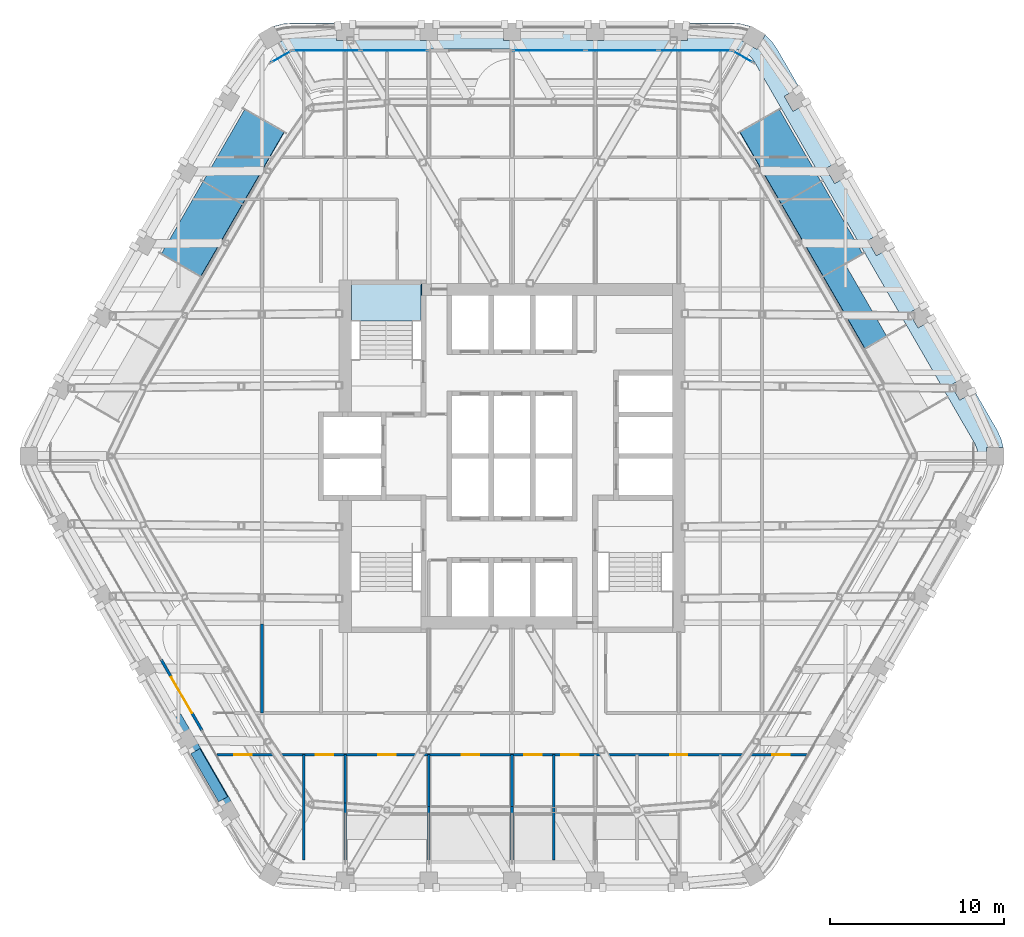
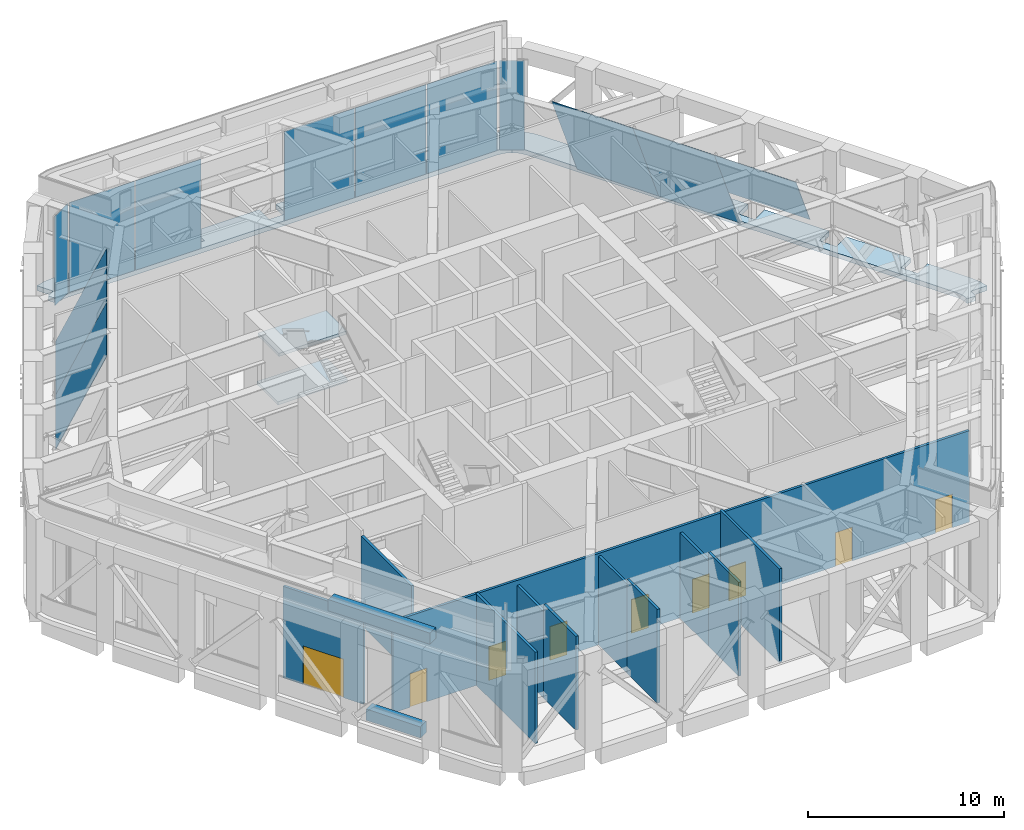
# One storey, part 13 of 24: 13 walls, 12 plates, 9 doors, 4 slabs, 9 openings, 7 elements without a shape of their own.
"""IFC4 building model written with IfcOpenShell, lengths in metres."""

from ifc_helpers import new_model, si_unit, direction, frame, frame_2d, origin, origin_2d, place, context, subcontext, project, spatial, polyline, rectangle, outline, extrude, material, layer, layer_set, type_object, element, fill, aggregate, save


model = new_model("IFC4")

# Units and contexts
model_context = context("Model", 3, precision=1e-05, world=origin(), true_north=direction((0.0, 1.0)))
body_context = subcontext(model_context, "Body", "Model", "MODEL_VIEW")
ifc_project = project(units=[si_unit("LENGTHUNIT", "METRE"), si_unit("AREAUNIT", "SQUARE_METRE"), si_unit("VOLUMEUNIT", "CUBIC_METRE"), si_unit("PLANEANGLEUNIT", "RADIAN"), si_unit("MASSUNIT", "GRAM", prefix="KILO")], contexts=[model_context])

# Site, building, storey
site_placement = place(None, origin())
site = spatial("IfcSite", under=ifc_project, at=site_placement, CompositionType="ELEMENT")
building_placement = place(site_placement, origin())
building = spatial("IfcBuilding", under=site, at=building_placement, Name="Kolab Exchange Tower", CompositionType="ELEMENT")
storey_placement = place(building_placement, frame((0.0, 0.0, 216.800048828125)))
storey = spatial("IfcBuildingStorey", under=building, at=storey_placement, Name="L47", CompositionType="ELEMENT", Elevation=216.800048828125)

# Curtain wall, plates
ifc_material_1 = material(Name="Aluminium EN AW-6063 T6", Category="aluminium")
curtain_wall_type_1 = type_object("IfcCurtainWallType", Name="CANTED BAND CURTAIN WALL", PredefinedType="NOTDEFINED", material=ifc_material_1)
curtain_wall_1_placement = place(storey_placement, origin())
curtain_wall_1 = element("IfcCurtainWall", 1, at=curtain_wall_1_placement, inside=storey, type_object=curtain_wall_type_1, Name="band/L47/F2", PredefinedType="NOTDEFINED")
ifc_layer_1 = layer(ifc_material_1, 0.031982421875)
ifc_layer_set_1 = layer_set([ifc_layer_1], Name="Aluminium EN AW-6063 T6")
plate_type_1 = type_object("IfcPlateType", Name="CANTED BAND LOUVRE PANEL 32", PredefinedType="CURTAIN_PANEL", material=ifc_layer_set_1)
plate_1_placement = place(storey_placement, frame((15.392578125, 19.97216796875, 0.0), z_axis=(0.789543411339, 0.455864290648, 0.410863663669), x_axis=(0.500017431331, -0.866015339567, 0.0)))
plate_1 = element("IfcPlate", 2, at=plate_1_placement, type_object=plate_type_1, Name="Band louvre panel", PredefinedType="CURTAIN_PANEL", context=body_context, shape_type="SweptSolid", body=[
    extrude(outline(polyline([(0.0, 0.0), (4.800125623588972, 1.1102230246251565e-16), (4.800032481351556, -6.36181770787622), (-9.314223741605604e-05, -6.36181770787622), (0.0, 0.0)])), origin(), (0.0, 0.0, -1.0), 0.031982421875),
])
plate_2_placement = place(storey_placement, frame((17.792724609375, 15.815185546875, 0.0), z_axis=(0.789563490305, 0.455829512521, 0.410863663873), x_axis=(0.499979284789, -0.866037363387, 0.0)))
plate_2 = element("IfcPlate", 3, at=plate_2_placement, type_object=plate_type_1, Name="Band louvre panel", PredefinedType="CURTAIN_PANEL", context=body_context, shape_type="SweptSolid", body=[
    extrude(outline(polyline([(0.0, 0.0), (4.800003553677277, 0.0), (4.8000255452913905, -6.361817708520049), (2.1991614113848587e-05, -6.361817708520049), (0.0, 0.0)])), origin(), (0.0, 0.0, -1.0), 0.031982421875),
])
plate_3_placement = place(storey_placement, frame((19.17626953125, 11.071533203125, 2.60400390625), z_axis=(0.789544384574, 0.455864852572, 0.410861169955), x_axis=(0.500017431331, -0.866015339567, 0.0)))
plate_3 = element("IfcPlate", 4, at=plate_3_placement, type_object=plate_type_1, Name="Band louvre panel", PredefinedType="CURTAIN_PANEL", context=body_context, shape_type="SweptSolid", body=[
    extrude(outline(polyline([(0.0, 0.0), (4.800125623588972, 1.1102230246251565e-16), (4.800163757145978, -3.5055963697096044), (3.813355700662064e-05, -3.505596369709605), (0.0, 0.0)])), origin(), (0.0, 0.0, -1.0), 0.031982421875),
])
aggregate(curtain_wall_1, [plate_1, plate_2, plate_3])

curtain_wall_2_placement = place(storey_placement, origin())
curtain_wall_2 = element("IfcCurtainWall", 5, at=curtain_wall_2_placement, inside=storey, type_object=curtain_wall_type_1, Name="band/L47/F6", PredefinedType="NOTDEFINED")
plate_4_placement = place(storey_placement, frame((-20.192626953125, 11.658203125, 0.0), z_axis=(-0.789563490305, 0.455829512521, 0.410863663873), x_axis=(0.499979284789, 0.866037363387, 0.0)))
plate_4 = element("IfcPlate", 6, at=plate_4_placement, type_object=plate_type_1, Name="Band louvre panel", PredefinedType="CURTAIN_PANEL", context=body_context, shape_type="SweptSolid", body=[
    extrude(outline(polyline([(0.0, 0.0), (4.800003553677277, 0.0), (4.799981562063163, -6.361817708520049), (-2.1991614113848587e-05, -6.361817708520049), (0.0, 0.0)])), origin(), (0.0, 0.0, -1.0), 0.031982421875),
])
plate_5_placement = place(storey_placement, frame((-17.792724609375, 15.815185546875, 0.0), z_axis=(-0.789543411339, 0.455864290648, 0.410863663669), x_axis=(0.500017431331, 0.866015339567, 0.0)))
plate_5 = element("IfcPlate", 7, at=plate_5_placement, type_object=plate_type_1, Name="Band louvre panel", PredefinedType="CURTAIN_PANEL", context=body_context, shape_type="SweptSolid", body=[
    extrude(outline(polyline([(0.0, 0.0), (4.800125623588972, -1.1102230246251565e-16), (4.800218765826388, -6.361817707876221), (9.314223741605604e-05, -6.36181770787622), (0.0, 0.0)])), origin(), (0.0, 0.0, -1.0), 0.031982421875),
])
aggregate(curtain_wall_2, [plate_4, plate_5])

# Slabs
ifc_material_2 = material(Name="Concrete C35/45", Category="concrete")
ifc_layer_2 = layer(ifc_material_2, 0.300048828125)
ifc_layer_set_2 = layer_set([ifc_layer_2], Name="Concrete C35/45")
slab_type_1 = type_object("IfcSlabType", Name="LOGGIA SLAB 300", PredefinedType="FLOOR", material=ifc_layer_set_2)
slab_1_placement = place(storey_placement, frame((0.0, 0.0, -0.300048828125)))
element("IfcSlab", 8, at=slab_1_placement, inside=storey, type_object=slab_type_1, Name="slab/L47/loggia/0-0", PredefinedType="FLOOR", context=body_context, shape_type="SweptSolid", body=[
    extrude(outline(polyline([(13.41796875, 23.240478515625), (13.66796875, 23.673583984375), (13.23486328125, 23.923583984375), (13.713134765625, 24.751708984375), (13.694091796875, 24.760498046875), (13.18896484375, 24.89599609375), (12.66796875, 24.941650390625), (10.10009765625, 24.941650390625), (10.10009765625, 23.941650390625), (9.10009765625, 23.941650390625), (9.10009765625, 24.941650390625), (5.300048828125, 24.941650390625), (5.300048828125, 23.941650390625), (4.300048828125, 23.941650390625), (4.300048828125, 24.941650390625), (0.5, 24.941650390625), (0.5, 23.941650390625), (-0.5, 23.941650390625), (-0.5, 24.941650390625), (-4.300048828125, 24.941650390625), (-4.300048828125, 23.941650390625), (-5.300048828125, 23.941650390625), (-5.300048828125, 24.941650390625), (-9.10009765625, 24.941650390625), (-9.10009765625, 23.941650390625), (-10.10009765625, 23.941650390625), (-10.10009765625, 24.941650390625), (-12.66796875, 24.941650390625), (-13.18896484375, 24.89599609375), (-13.694091796875, 24.760498046875), (-13.713134765625, 24.751708984375), (-13.23486328125, 23.923583984375), (-13.66796875, 23.673583984375), (-13.41796875, 23.240478515625), (-13.180908203125, 23.35107421875), (-12.928466796875, 23.418701171875), (-12.66796875, 23.441650390625), (12.66796875, 23.441650390625), (12.928466796875, 23.418701171875), (13.180908203125, 23.35107421875), (13.41796875, 23.240478515625)])), origin(), (0.0, 0.0, 1.0), 0.300048828125),
])
slab_2_placement = place(storey_placement, frame((0.0, 0.0, -0.300048828125)))
element("IfcSlab", 9, at=slab_2_placement, inside=storey, type_object=slab_type_1, Name="slab/L47/loggia/1-0", PredefinedType="FLOOR", context=body_context, shape_type="SweptSolid", body=[
    extrude(outline(polyline([(26.8359375, 0.0), (27.3359375, 0.0), (27.3359375, 0.5), (28.292236328125, 0.5), (28.290283203125, 0.52099609375), (28.155029296875, 1.026123046875), (27.93408203125, 1.5), (26.64990234375, 3.723876953125), (25.783935546875, 3.223876953125), (25.283935546875, 4.08984375), (26.14990234375, 4.58984375), (24.25, 7.880859375), (23.384033203125, 7.380859375), (22.884033203125, 8.246826171875), (23.75, 8.746826171875), (21.85009765625, 12.037841796875), (20.98388671875, 11.537841796875), (20.48388671875, 12.40380859375), (21.35009765625, 12.90380859375), (19.449951171875, 16.194580078125), (18.583984375, 15.694580078125), (18.083984375, 16.560791015625), (18.949951171875, 17.060791015625), (17.050048828125, 20.3515625), (16.18408203125, 19.8515625), (15.68408203125, 20.717529296875), (16.550048828125, 21.217529296875), (15.26611328125, 23.441650390625), (14.966064453125, 23.869873046875), (14.59619140625, 24.23974609375), (14.5791015625, 24.251708984375), (14.10107421875, 23.423583984375), (13.66796875, 23.673583984375), (13.41796875, 23.240478515625), (13.632080078125, 23.090576171875), (13.81689453125, 22.90576171875), (13.967041015625, 22.691650390625), (26.635009765625, 0.75), (26.745361328125, 0.512939453125), (26.81298828125, 0.260498046875), (26.8359375, 0.0)])), origin(), (0.0, 0.0, 1.0), 0.300048828125),
])

# Stair, slabs
ifc_material_3 = material(Name="Concrete C50/60", Category="concrete")
stair_type = type_object("IfcStairType", Name="STAIR ST1 RISER 166.7", PredefinedType="DOUBLE_RETURN_STAIR", material=ifc_material_3)
stair_placement = place(storey_placement, origin())
stair = element("IfcStair", 10, at=stair_placement, inside=storey, type_object=stair_type, Name="Stair 1", PredefinedType="DOUBLE_RETURN_STAIR")
ifc_layer_3 = layer(ifc_material_3, 0.199951171875)
ifc_layer_set_3 = layer_set([ifc_layer_3], Name="Concrete C50/60")
slab_type_2 = type_object("IfcSlabType", Name="STAIR LANDING 200", PredefinedType="LANDING", material=ifc_layer_set_3)
slab_3_placement = place(storey_placement, frame((0.0, 0.0, 1.300048828125)))
slab_3 = element("IfcSlab", 11, at=slab_3_placement, type_object=slab_type_2, Name="ST1 landing 2", PredefinedType="LANDING", context=body_context, shape_type="SweptSolid", body=[
    extrude(outline(polyline([(-9.31005859375, 7.7900390625), (-5.18994140625, 7.7900390625), (-5.18994140625, 9.909912109375), (-9.31005859375, 9.909912109375), (-9.31005859375, 7.7900390625)])), origin(), (0.0, 0.0, 1.0), 0.199951171875),
])
slab_4_placement = place(storey_placement, frame((0.0, 0.0, 4.300048828125)))
slab_4 = element("IfcSlab", 12, at=slab_4_placement, type_object=slab_type_2, Name="ST1 landing 4", PredefinedType="LANDING", context=body_context, shape_type="SweptSolid", body=[
    extrude(outline(polyline([(-9.25, 7.7900390625), (-5.25, 7.7900390625), (-5.25, 9.909912109375), (-9.25, 9.909912109375), (-9.25, 7.7900390625)])), origin(), (0.0, 0.0, 1.0), 0.199951171875),
])
aggregate(stair, [slab_3, slab_4])

# Curtain wall, plates
curtain_wall_type_2 = type_object("IfcCurtainWallType", Name="UNITISED UPPER MID ZONE DOUBLE HEIGHT BELT CURTAIN WALL", PredefinedType="NOTDEFINED", material=ifc_material_1)
curtain_wall_3_placement = place(storey_placement, origin())
curtain_wall_3 = element("IfcCurtainWall", 13, at=curtain_wall_3_placement, inside=storey, type_object=curtain_wall_type_2, Name="cw/L47/F1-1", PredefinedType="NOTDEFINED")
ifc_layer_4 = layer(ifc_material_1, 0.028076171875)
ifc_layer_set_4 = layer_set([ifc_layer_4], Name="Aluminium EN AW-6063 T6")
plate_type_2 = type_object("IfcPlateType", Name="UNITISED UPPER MID ZONE DOUBLE HEIGHT BELT LOUVRE PANEL 28", PredefinedType="CURTAIN_PANEL", material=ifc_layer_set_4)
plate_6_placement = place(storey_placement, frame((-10.68603515625, 23.361572265625, 0.059814453125), z_axis=(0.0, 0.0, 1.0), x_axis=(1.0, 0.0, 0.0)))
plate_6 = element("IfcPlate", 14, at=plate_6_placement, type_object=plate_type_2, Name="CW11 panel 1.1", PredefinedType="CURTAIN_PANEL", context=body_context, shape_type="SweptSolid", body=[
    extrude(rectangle(XDim=3.843994140625, YDim=0.028076171875, at=origin_2d()), origin(), (0.0, 0.0, 1.0), 5.580078125),
])
plate_7_placement = place(storey_placement, frame((-6.781982421875, 23.361572265625, 0.059814453125), z_axis=(0.0, 0.0, 1.0), x_axis=(1.0, 0.0, 0.0)))
plate_7 = element("IfcPlate", 15, at=plate_7_placement, type_object=plate_type_2, Name="CW11 panel 2.1", PredefinedType="CURTAIN_PANEL", context=body_context, shape_type="SweptSolid", body=[
    extrude(rectangle(XDim=3.843994140625, YDim=0.028076171875, at=origin_2d()), origin(), (0.0, 0.0, 1.0), 5.580078125),
])
aggregate(curtain_wall_3, [plate_6, plate_7])

curtain_wall_4_placement = place(storey_placement, origin())
curtain_wall_4 = element("IfcCurtainWall", 16, at=curtain_wall_4_placement, inside=storey, type_object=curtain_wall_type_2, Name="cw/L47/F1-2", PredefinedType="NOTDEFINED")
plate_8_placement = place(storey_placement, frame((2.126220703125, 23.361572265625, 0.059814453125), z_axis=(0.0, 0.0, 1.0), x_axis=(1.0, 0.0, 0.0)))
plate_8 = element("IfcPlate", 17, at=plate_8_placement, type_object=plate_type_2, Name="CW11 panel 1.1", PredefinedType="CURTAIN_PANEL", context=body_context, shape_type="SweptSolid", body=[
    extrude(rectangle(XDim=4.132568359375, YDim=0.028076171875, at=origin_2d()), origin(), (0.0, 0.0, 1.0), 5.580078125),
])
plate_9_placement = place(storey_placement, frame((6.333984375, 23.361572265625, 0.059814453125), z_axis=(0.0, 0.0, 1.0), x_axis=(1.0, 0.0, 0.0)))
plate_9 = element("IfcPlate", 18, at=plate_9_placement, type_object=plate_type_2, Name="CW11 panel 2.1", PredefinedType="CURTAIN_PANEL", context=body_context, shape_type="SweptSolid", body=[
    extrude(rectangle(XDim=4.16259765625, YDim=0.028076171875, at=origin_2d()), origin(), (0.0, 0.0, 1.0), 5.580078125),
])
plate_10_placement = place(storey_placement, frame((10.54150390625, 23.361572265625, 0.059814453125), z_axis=(0.0, 0.0, 1.0), x_axis=(1.0, 0.0, 0.0)))
plate_10 = element("IfcPlate", 19, at=plate_10_placement, type_object=plate_type_2, Name="CW11 panel 3.1", PredefinedType="CURTAIN_PANEL", context=body_context, shape_type="SweptSolid", body=[
    extrude(rectangle(XDim=4.132568359375, YDim=0.028076171875, at=origin_2d()), origin(), (0.0, 0.0, 1.0), 5.580078125),
])
aggregate(curtain_wall_4, [plate_8, plate_9, plate_10])

# Curtain wall, plate
curtain_wall_5_placement = place(storey_placement, origin())
curtain_wall_5 = element("IfcCurtainWall", 20, at=curtain_wall_5_placement, inside=storey, type_object=curtain_wall_type_2, Name="cw/L47/F1F2-corner", PredefinedType="NOTDEFINED")
plate_11_placement = place(storey_placement, frame((13.28271484375, 23.006591796875, 0.059814453125), z_axis=(0.0, 0.0, 1.0), x_axis=(0.866025390869, -0.50000002237, 0.0)))
plate_11 = element("IfcPlate", 21, at=plate_11_placement, type_object=plate_type_2, Name="CW11 panel 1.1", PredefinedType="CURTAIN_PANEL", context=body_context, shape_type="SweptSolid", body=[
    extrude(rectangle(XDim=1.300048828125, YDim=0.028076171875, at=origin_2d()), origin(), (0.0, 0.0, 1.0), 5.580078125),
])
aggregate(curtain_wall_5, [plate_11])

curtain_wall_6_placement = place(storey_placement, origin())
curtain_wall_6 = element("IfcCurtainWall", 22, at=curtain_wall_6_placement, inside=storey, type_object=curtain_wall_type_2, Name="cw/L47/F6F1-corner", PredefinedType="NOTDEFINED")
plate_12_placement = place(storey_placement, frame((-13.28271484375, 23.006591796875, 0.059814453125), z_axis=(0.0, 0.0, 1.0), x_axis=(0.866025390869, 0.50000002237, 0.0)))
plate_12 = element("IfcPlate", 23, at=plate_12_placement, type_object=plate_type_2, Name="CW11 panel 1.1", PredefinedType="CURTAIN_PANEL", context=body_context, shape_type="SweptSolid", body=[
    extrude(rectangle(XDim=1.300048828125, YDim=0.028076171875, at=origin_2d()), origin(), (0.0, 0.0, 1.0), 5.580078125),
])
aggregate(curtain_wall_6, [plate_12])

# Wall, opening, door
ifc_layer_5 = layer(ifc_material_1, 0.159912109375)
ifc_layer_set_5 = layer_set([ifc_layer_5], Name="Aluminium EN AW-6063 T6")
wall_type_1 = type_object("IfcWallType", Name="DOOR SURROUND WALL 160 ALUMINIUM FRAMED", PredefinedType="PARTITIONING", material=ifc_layer_set_5)
wall_1_placement = place(storey_placement, frame((-17.8466796875, -15.811767578125, 0.0), z_axis=(0.0, 0.0, 1.0), x_axis=(-0.5000167099, 0.866015756104, 0.0)))
wall_1 = element("IfcWall", 24, at=wall_1_placement, inside=storey, type_object=wall_type_1, Name="Door surround wall", PredefinedType="PARTITIONING", context=body_context, shape_type="SweptSolid", body=[
    extrude(rectangle(XDim=4.739990234375, YDim=0.159912109375, at=frame_2d((2.3701171875, 0.0))), origin(), (0.0, 0.0, 1.0), 5.699951171875),
])
opening_1_placement = place(wall_1_placement, frame((1.169921875, 0.0, 0.0)))
opening_1 = element("IfcOpeningElement", 25, at=opening_1_placement, cuts=wall_1, Name="Opening GD1-088", PredefinedType="OPENING", context=body_context, shape_type="SweptSolid", body=[
    extrude(rectangle(XDim=2.39990234375, YDim=2.39990234375, at=frame_2d((1.199951171875, 1.199951171875))), frame((0.0, 0.08984375, 0.0), z_axis=(0.0, -1.0, 0.0), x_axis=(1.0, 0.0, 0.0)), (0.0, 0.0, 1.0), 0.179931640625),
])
door_type_1 = type_object("IfcDoorType", Name="LOGGIA SLIDING GLASS DOOR 2400 X 2400", OperationType="DOUBLE_DOOR_SINGLE_SWING", PredefinedType="DOOR", material=ifc_material_1)
door_1_placement = place(opening_1_placement, origin())
door_1 = element("IfcDoor", 26, at=door_1_placement, inside=storey, type_object=door_type_1, Name="Loggia door", OperationType="DOUBLE_DOOR_SLIDING", OverallHeight=2.39990234375, OverallWidth=2.39990234375, PredefinedType="DOOR", context=body_context, shape_type="SweptSolid", body=[
    extrude(rectangle(XDim=2.39990234375, YDim=2.39990234375, at=frame_2d((1.199951171875, 1.199951171875))), frame((0.0, 0.02490234375, 0.0), z_axis=(0.0, -1.0, 0.0), x_axis=(1.0, 0.0, 0.0)), (0.0, 0.0, 1.0), 0.050048828125),
])
fill(opening_1, door_1)

# Walls
ifc_material_4 = material(Name="Gypsum board", Category="gypsum")
ifc_layer_6 = layer(ifc_material_4, 0.14990234375)
ifc_layer_set_6 = layer_set([ifc_layer_6], Name="Gypsum board")
wall_type_2 = type_object("IfcWallType", Name="PARTITION 150 FIRE-RATED", PredefinedType="PARTITIONING", material=ifc_layer_set_6)
wall_2_placement = place(storey_placement, frame((2.39990234375, -23.271484375, 0.0), z_axis=(0.0, 0.0, 1.0), x_axis=(0.0, 1.0, 0.0)))
element("IfcWall", 27, at=wall_2_placement, inside=storey, type_object=wall_type_2, Name="Partition 013", PredefinedType="PARTITIONING", context=body_context, shape_type="SweptSolid", body=[
    extrude(rectangle(XDim=6.071533203125, YDim=0.14990234375, at=frame_2d((3.03564453125, 0.0))), origin(), (0.0, 0.0, 1.0), 5.849853515625),
])
wall_3_placement = place(storey_placement, frame((0.0, -23.271484375, 0.0), z_axis=(0.0, 0.0, 1.0), x_axis=(0.0, 1.0, 0.0)))
element("IfcWall", 28, at=wall_3_placement, inside=storey, type_object=wall_type_2, Name="Partition 017", PredefinedType="PARTITIONING", context=body_context, shape_type="SweptSolid", body=[
    extrude(rectangle(XDim=3.096923828125, YDim=0.14990234375, at=frame_2d((1.54833984375, 0.0))), origin(), (0.0, 0.0, 1.0), 5.849853515625),
])
wall_4_placement = place(storey_placement, frame((0.0, -20.174560546875, 0.0), z_axis=(0.0, 0.0, 1.0), x_axis=(0.0, 1.0, 0.0)))
element("IfcWall", 29, at=wall_4_placement, inside=storey, type_object=wall_type_2, Name="Partition 017", PredefinedType="PARTITIONING", context=body_context, shape_type="SweptSolid", body=[
    extrude(rectangle(XDim=2.974609375, YDim=0.14990234375, at=frame_2d((1.4873046875, 0.0))), origin(), (0.0, 0.0, 1.0), 5.31689453125),
])
wall_5_placement = place(storey_placement, frame((-4.800048828125, -23.271484375, 0.0), z_axis=(0.0, 0.0, 1.0), x_axis=(0.0, 1.0, 0.0)))
element("IfcWall", 30, at=wall_5_placement, inside=storey, type_object=wall_type_2, Name="Partition 021", PredefinedType="PARTITIONING", context=body_context, shape_type="SweptSolid", body=[
    extrude(rectangle(XDim=3.096923828125, YDim=0.14990234375, at=frame_2d((1.54833984375, 0.0))), origin(), (0.0, 0.0, 1.0), 5.849853515625),
])
wall_6_placement = place(storey_placement, frame((-4.800048828125, -20.174560546875, 0.0), z_axis=(0.0, 0.0, 1.0), x_axis=(0.0, 1.0, 0.0)))
element("IfcWall", 31, at=wall_6_placement, inside=storey, type_object=wall_type_2, Name="Partition 021", PredefinedType="PARTITIONING", context=body_context, shape_type="SweptSolid", body=[
    extrude(rectangle(XDim=2.974609375, YDim=0.14990234375, at=frame_2d((1.4873046875, 0.0))), origin(), (0.0, 0.0, 1.0), 5.5400390625),
])
wall_7_placement = place(storey_placement, frame((-9.60009765625, -23.271484375, 0.0), z_axis=(0.0, 0.0, 1.0), x_axis=(0.0, 1.0, 0.0)))
element("IfcWall", 32, at=wall_7_placement, inside=storey, type_object=wall_type_2, Name="Partition 026", PredefinedType="PARTITIONING", context=body_context, shape_type="SweptSolid", body=[
    extrude(rectangle(XDim=3.2890625, YDim=0.14990234375, at=frame_2d((1.64453125, 0.0))), origin(), (0.0, 0.0, 1.0), 5.849853515625),
])
wall_8_placement = place(storey_placement, frame((-9.60009765625, -19.982421875, 0.0), z_axis=(0.0, 0.0, 1.0), x_axis=(0.0, 1.0, 0.0)))
element("IfcWall", 33, at=wall_8_placement, inside=storey, type_object=wall_type_2, Name="Partition 026", PredefinedType="PARTITIONING", context=body_context, shape_type="SweptSolid", body=[
    extrude(rectangle(XDim=2.782470703125, YDim=0.14990234375, at=frame_2d((1.39111328125, 0.0))), origin(), (0.0, 0.0, 1.0), 5.39306640625),
])
wall_9_placement = place(storey_placement, frame((-12.0, -23.271484375, 0.0), z_axis=(0.0, 0.0, 1.0), x_axis=(0.0, 1.0, 0.0)))
element("IfcWall", 34, at=wall_9_placement, inside=storey, type_object=wall_type_2, Name="Partition 030", PredefinedType="PARTITIONING", context=body_context, shape_type="SweptSolid", body=[
    extrude(rectangle(XDim=6.071533203125, YDim=0.14990234375, at=frame_2d((3.03564453125, 0.0))), origin(), (0.0, 0.0, 1.0), 5.699951171875),
])
wall_10_placement = place(storey_placement, frame((-14.39990234375, -14.800048828125, 0.0), z_axis=(0.0, 0.0, 1.0), x_axis=(0.0, 1.0, 0.0)))
element("IfcWall", 35, at=wall_10_placement, inside=storey, type_object=wall_type_2, Name="Partition 032", PredefinedType="PARTITIONING", context=body_context, shape_type="SweptSolid", body=[
    extrude(rectangle(XDim=5.1259765625, YDim=0.14990234375, at=frame_2d((2.56298828125, 0.0))), origin(), (0.0, 0.0, 1.0), 5.5400390625),
])

# Wall, openings, doors
wall_11_placement = place(storey_placement, frame((-16.9990234375, -17.199951171875, 0.0), z_axis=(0.0, 0.0, 1.0), x_axis=(1.0, 0.0, 0.0)))
wall_11 = element("IfcWall", 36, at=wall_11_placement, inside=storey, type_object=wall_type_2, Name="Partition 033", PredefinedType="PARTITIONING", context=body_context, shape_type="SweptSolid", body=[
    extrude(rectangle(XDim=33.998046875, YDim=0.14990234375, at=frame_2d((16.9990234375, 0.0))), origin(), (0.0, 0.0, 1.0), 5.699951171875),
])
opening_2_placement = place(wall_11_placement, frame((1.0146484375, 0.0, 0.0)))
opening_2 = element("IfcOpeningElement", 37, at=opening_2_placement, cuts=wall_11, Name="Opening D1-619", PredefinedType="OPENING", context=body_context, shape_type="SweptSolid", body=[
    extrude(rectangle(XDim=1.0, YDim=2.10009765625, at=frame_2d((0.5, 1.050048828125))), frame((0.0, 0.0849609375, 0.0), z_axis=(0.0, -1.0, 0.0), x_axis=(1.0, 0.0, 0.0)), (0.0, 0.0, 1.0), 0.169921875),
])
opening_3_placement = place(wall_11_placement, frame((5.698974609375, 0.0, 0.0)))
opening_3 = element("IfcOpeningElement", 38, at=opening_3_placement, cuts=wall_11, Name="Opening D1-620", PredefinedType="OPENING", context=body_context, shape_type="SweptSolid", body=[
    extrude(rectangle(XDim=1.0, YDim=2.10009765625, at=frame_2d((0.5, 1.050048828125))), frame((0.0, 0.0849609375, 0.0), z_axis=(0.0, -1.0, 0.0), x_axis=(1.0, 0.0, 0.0)), (0.0, 0.0, 1.0), 0.169921875),
])
opening_4_placement = place(wall_11_placement, frame((9.299072265625, 0.0, 0.0)))
opening_4 = element("IfcOpeningElement", 39, at=opening_4_placement, cuts=wall_11, Name="Opening D1-621", PredefinedType="OPENING", context=body_context, shape_type="SweptSolid", body=[
    extrude(rectangle(XDim=1.0, YDim=2.10009765625, at=frame_2d((0.5, 1.050048828125))), frame((0.0, 0.0849609375, 0.0), z_axis=(0.0, -1.0, 0.0), x_axis=(1.0, 0.0, 0.0)), (0.0, 0.0, 1.0), 0.169921875),
])
opening_5_placement = place(wall_11_placement, frame((14.09912109375, 0.0, 0.0)))
opening_5 = element("IfcOpeningElement", 40, at=opening_5_placement, cuts=wall_11, Name="Opening D1-622", PredefinedType="OPENING", context=body_context, shape_type="SweptSolid", body=[
    extrude(rectangle(XDim=1.0, YDim=2.10009765625, at=frame_2d((0.5, 1.050048828125))), frame((0.0, 0.0849609375, 0.0), z_axis=(0.0, -1.0, 0.0), x_axis=(1.0, 0.0, 0.0)), (0.0, 0.0, 1.0), 0.169921875),
])
opening_6_placement = place(wall_11_placement, frame((17.698974609375, 0.0, 0.0)))
opening_6 = element("IfcOpeningElement", 41, at=opening_6_placement, cuts=wall_11, Name="Opening D1-623", PredefinedType="OPENING", context=body_context, shape_type="SweptSolid", body=[
    extrude(rectangle(XDim=1.0, YDim=2.10009765625, at=frame_2d((0.5, 1.050048828125))), frame((0.0, 0.0849609375, 0.0), z_axis=(0.0, -1.0, 0.0), x_axis=(1.0, 0.0, 0.0)), (0.0, 0.0, 1.0), 0.169921875),
])
opening_7_placement = place(wall_11_placement, frame((19.84912109375, 0.0, 0.0)))
opening_7 = element("IfcOpeningElement", 42, at=opening_7_placement, cuts=wall_11, Name="Opening D1-624", PredefinedType="OPENING", context=body_context, shape_type="SweptSolid", body=[
    extrude(rectangle(XDim=1.0, YDim=2.10009765625, at=frame_2d((0.5, 1.050048828125))), frame((0.0, 0.0849609375, 0.0), z_axis=(0.0, -1.0, 0.0), x_axis=(1.0, 0.0, 0.0)), (0.0, 0.0, 1.0), 0.169921875),
])
opening_8_placement = place(wall_11_placement, frame((26.09912109375, 0.0, 0.0)))
opening_8 = element("IfcOpeningElement", 43, at=opening_8_placement, cuts=wall_11, Name="Opening D1-626", PredefinedType="OPENING", context=body_context, shape_type="SweptSolid", body=[
    extrude(rectangle(XDim=1.0, YDim=2.10009765625, at=frame_2d((0.5, 1.050048828125))), frame((0.0, 0.0849609375, 0.0), z_axis=(0.0, -1.0, 0.0), x_axis=(1.0, 0.0, 0.0)), (0.0, 0.0, 1.0), 0.169921875),
])
opening_9_placement = place(wall_11_placement, frame((31.9833984375, 0.0, 0.0)))
opening_9 = element("IfcOpeningElement", 44, at=opening_9_placement, cuts=wall_11, Name="Opening D1-627", PredefinedType="OPENING", context=body_context, shape_type="SweptSolid", body=[
    extrude(rectangle(XDim=1.0, YDim=2.10009765625, at=frame_2d((0.5, 1.050048828125))), frame((0.0, 0.0849609375, 0.0), z_axis=(0.0, -1.0, 0.0), x_axis=(1.0, 0.0, 0.0)), (0.0, 0.0, 1.0), 0.169921875),
])
ifc_material_5 = material(Name="Steel S235", Category="steel")
door_type_2 = type_object("IfcDoorType", Name="FLUSH DOOR 1000 FD60", OperationType="SINGLE_SWING_LEFT", PredefinedType="DOOR", material=ifc_material_5)
door_2_placement = place(opening_2_placement, frame((1.0, 0.0, 0.0), z_axis=(0.0, 0.0, 1.0), x_axis=(-1.0, 0.0, 0.0)))
door_2 = element("IfcDoor", 45, at=door_2_placement, inside=storey, type_object=door_type_2, Name="Door L47-048", OperationType="SINGLE_SWING_LEFT", OverallHeight=2.10009765625, OverallWidth=1.0, PredefinedType="DOOR", context=body_context, shape_type="SweptSolid", body=[
    extrude(rectangle(XDim=1.0, YDim=2.10009765625, at=frame_2d((0.5, 1.050048828125))), frame((0.0, 0.02490234375, 0.0), z_axis=(0.0, -1.0, 0.0), x_axis=(1.0, 0.0, 0.0)), (0.0, 0.0, 1.0), 0.050048828125),
])
fill(opening_2, door_2)
door_3_placement = place(opening_3_placement, frame((1.0, 0.0, 0.0), z_axis=(0.0, 0.0, 1.0), x_axis=(-1.0, 0.0, 0.0)))
door_3 = element("IfcDoor", 46, at=door_3_placement, inside=storey, type_object=door_type_2, Name="Door L47-049", OperationType="SINGLE_SWING_RIGHT", OverallHeight=2.10009765625, OverallWidth=1.0, PredefinedType="DOOR", context=body_context, shape_type="SweptSolid", body=[
    extrude(rectangle(XDim=1.0, YDim=2.10009765625, at=frame_2d((0.5, 1.050048828125))), frame((0.0, 0.02490234375, 0.0), z_axis=(0.0, -1.0, 0.0), x_axis=(1.0, 0.0, 0.0)), (0.0, 0.0, 1.0), 0.050048828125),
])
fill(opening_3, door_3)
door_4_placement = place(opening_4_placement, frame((1.0, 0.0, 0.0), z_axis=(0.0, 0.0, 1.0), x_axis=(-1.0, 0.0, 0.0)))
door_4 = element("IfcDoor", 47, at=door_4_placement, inside=storey, type_object=door_type_2, Name="Door L47-050", OperationType="SINGLE_SWING_RIGHT", OverallHeight=2.10009765625, OverallWidth=1.0, PredefinedType="DOOR", context=body_context, shape_type="SweptSolid", body=[
    extrude(rectangle(XDim=1.0, YDim=2.10009765625, at=frame_2d((0.5, 1.050048828125))), frame((0.0, 0.02490234375, 0.0), z_axis=(0.0, -1.0, 0.0), x_axis=(1.0, 0.0, 0.0)), (0.0, 0.0, 1.0), 0.050048828125),
])
fill(opening_4, door_4)
door_5_placement = place(opening_5_placement, frame((1.0, 0.0, 0.0), z_axis=(0.0, 0.0, 1.0), x_axis=(-1.0, 0.0, 0.0)))
door_5 = element("IfcDoor", 48, at=door_5_placement, inside=storey, type_object=door_type_2, Name="Door L47-051", OperationType="SINGLE_SWING_RIGHT", OverallHeight=2.10009765625, OverallWidth=1.0, PredefinedType="DOOR", context=body_context, shape_type="SweptSolid", body=[
    extrude(rectangle(XDim=1.0, YDim=2.10009765625, at=frame_2d((0.5, 1.050048828125))), frame((0.0, 0.02490234375, 0.0), z_axis=(0.0, -1.0, 0.0), x_axis=(1.0, 0.0, 0.0)), (0.0, 0.0, 1.0), 0.050048828125),
])
fill(opening_5, door_5)
door_6_placement = place(opening_6_placement, frame((1.0, 0.0, 0.0), z_axis=(0.0, 0.0, 1.0), x_axis=(-1.0, 0.0, 0.0)))
door_6 = element("IfcDoor", 49, at=door_6_placement, inside=storey, type_object=door_type_2, Name="Door L47-052", OperationType="SINGLE_SWING_RIGHT", OverallHeight=2.10009765625, OverallWidth=1.0, PredefinedType="DOOR", context=body_context, shape_type="SweptSolid", body=[
    extrude(rectangle(XDim=1.0, YDim=2.10009765625, at=frame_2d((0.5, 1.050048828125))), frame((0.0, 0.02490234375, 0.0), z_axis=(0.0, -1.0, 0.0), x_axis=(1.0, 0.0, 0.0)), (0.0, 0.0, 1.0), 0.050048828125),
])
fill(opening_6, door_6)
door_7_placement = place(opening_7_placement, frame((1.0, 0.0, 0.0), z_axis=(0.0, 0.0, 1.0), x_axis=(-1.0, 0.0, 0.0)))
door_7 = element("IfcDoor", 50, at=door_7_placement, inside=storey, type_object=door_type_2, Name="Door L47-053", OperationType="SINGLE_SWING_LEFT", OverallHeight=2.10009765625, OverallWidth=1.0, PredefinedType="DOOR", context=body_context, shape_type="SweptSolid", body=[
    extrude(rectangle(XDim=1.0, YDim=2.10009765625, at=frame_2d((0.5, 1.050048828125))), frame((0.0, 0.02490234375, 0.0), z_axis=(0.0, -1.0, 0.0), x_axis=(1.0, 0.0, 0.0)), (0.0, 0.0, 1.0), 0.050048828125),
])
fill(opening_7, door_7)
door_8_placement = place(opening_8_placement, frame((1.0, 0.0, 0.0), z_axis=(0.0, 0.0, 1.0), x_axis=(-1.0, 0.0, 0.0)))
door_8 = element("IfcDoor", 51, at=door_8_placement, inside=storey, type_object=door_type_2, Name="Door L47-055", OperationType="SINGLE_SWING_RIGHT", OverallHeight=2.10009765625, OverallWidth=1.0, PredefinedType="DOOR", context=body_context, shape_type="SweptSolid", body=[
    extrude(rectangle(XDim=1.0, YDim=2.10009765625, at=frame_2d((0.5, 1.050048828125))), frame((0.0, 0.02490234375, 0.0), z_axis=(0.0, -1.0, 0.0), x_axis=(1.0, 0.0, 0.0)), (0.0, 0.0, 1.0), 0.050048828125),
])
fill(opening_8, door_8)
door_9_placement = place(opening_9_placement, frame((1.0, 0.0, 0.0), z_axis=(0.0, 0.0, 1.0), x_axis=(-1.0, 0.0, 0.0)))
door_9 = element("IfcDoor", 52, at=door_9_placement, inside=storey, type_object=door_type_2, Name="Door L47-056", OperationType="SINGLE_SWING_RIGHT", OverallHeight=2.10009765625, OverallWidth=1.0, PredefinedType="DOOR", context=body_context, shape_type="SweptSolid", body=[
    extrude(rectangle(XDim=1.0, YDim=2.10009765625, at=frame_2d((0.5, 1.050048828125))), frame((0.0, 0.02490234375, 0.0), z_axis=(0.0, -1.0, 0.0), x_axis=(1.0, 0.0, 0.0)), (0.0, 0.0, 1.0), 0.050048828125),
])
fill(opening_9, door_9)

# Walls
ifc_material_6 = material(Name="Granite facing", Category="masonry")
ifc_layer_7 = layer(ifc_material_6, 0.0400390625)
ifc_material_7 = material(Name="Concrete C40/50 precast", Category="concrete")
ifc_layer_8 = layer(ifc_material_7, 0.56005859375)
ifc_layer_set_7 = layer_set([ifc_layer_7, ifc_layer_8], Name="Concrete C40/50 precast")
wall_type_3 = type_object("IfcWallType", Name="PLANTER BOX 600 X 700 SOIL DEPTH 550", PredefinedType="USERDEFINED", material=ifc_layer_set_7)
wall_12_placement = place(storey_placement, frame((-16.636962890625, -19.766845703125, 0.0), z_axis=(0.0, 0.0, 1.0), x_axis=(-0.500028443584, 0.866008981251, 0.0)))
element("IfcWall", 53, at=wall_12_placement, inside=storey, type_object=wall_type_3, Name="Planter", ObjectType="PLANTER", PredefinedType="USERDEFINED", context=body_context, shape_type="SweptSolid", body=[
    extrude(rectangle(XDim=3.199951171875, YDim=0.60009765625, at=frame_2d((1.60009765625, 0.0))), origin(), (0.0, 0.0, 1.0), 0.699951171875),
])
wall_13_placement = place(storey_placement, frame((-16.326904296875, -20.204345703125, 6.0), z_axis=(0.0, 0.0, 1.0), x_axis=(-0.499990139034, 0.866031096941, 0.0)))
element("IfcWall", 54, at=wall_13_placement, inside=storey, type_object=wall_type_3, Name="Planter", ObjectType="PLANTER", PredefinedType="USERDEFINED", context=body_context, shape_type="SweptSolid", body=[
    extrude(rectangle(XDim=6.0, YDim=0.60009765625, at=frame_2d((3.0, 0.0))), origin(), (0.0, 0.0, 1.0), 0.699951171875),
])

save(model, "model.ifc")
